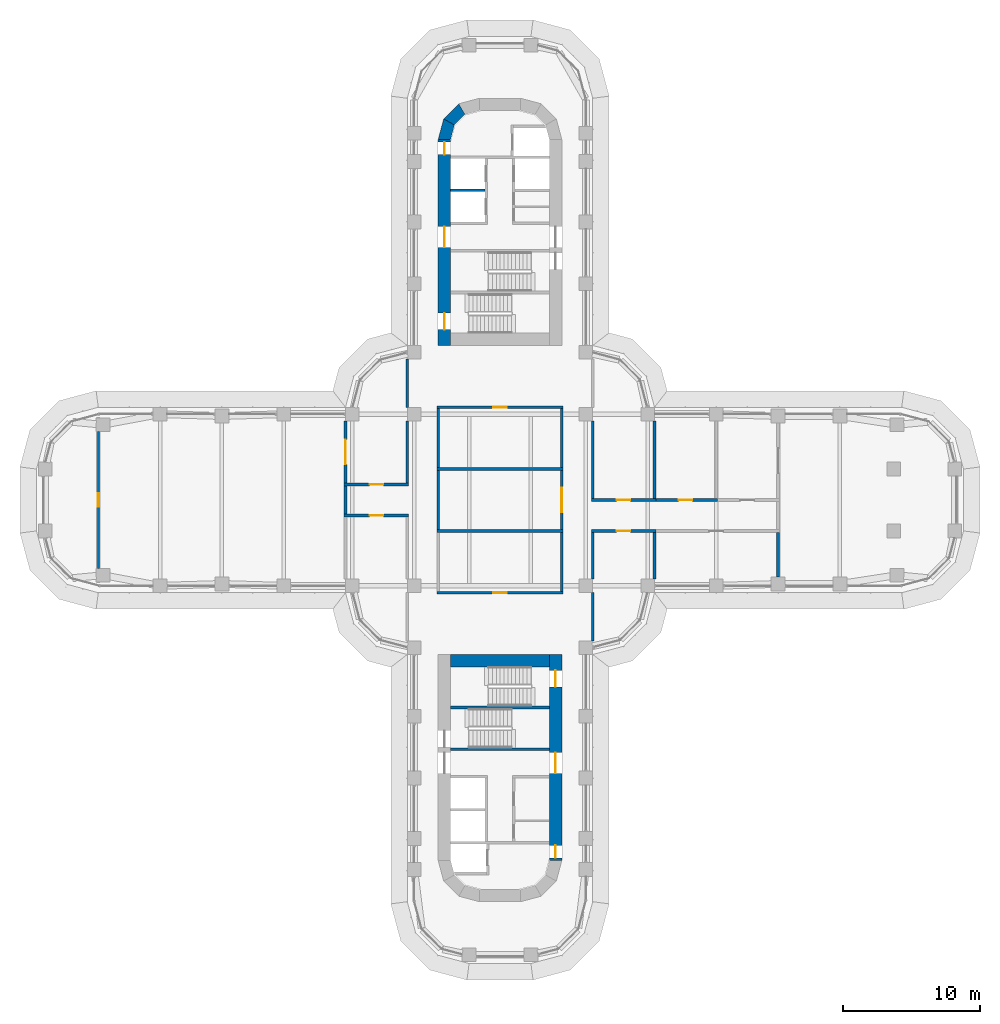
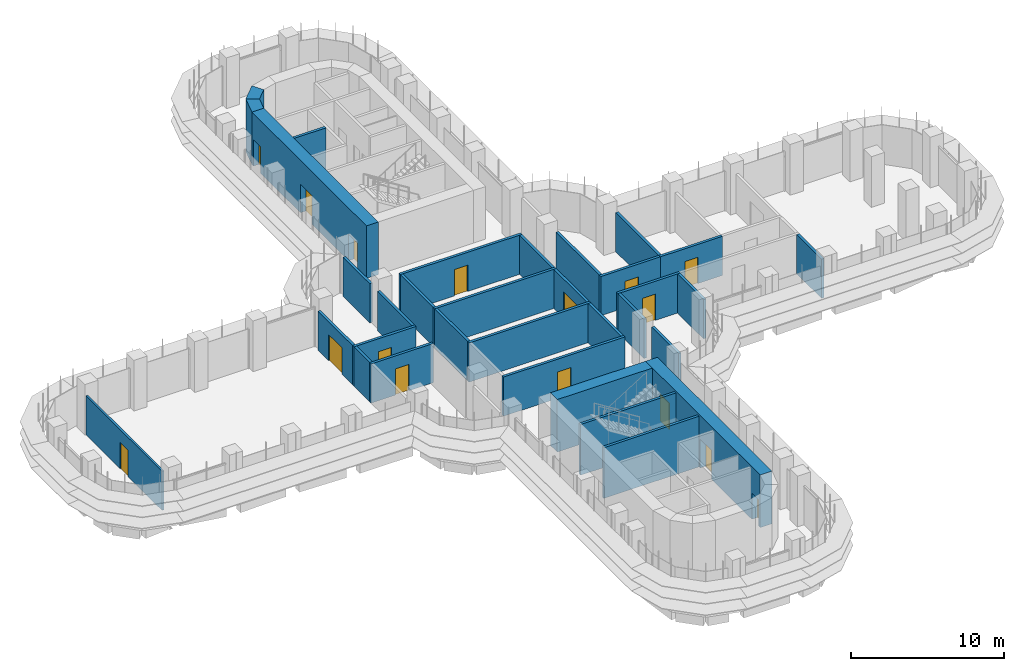
# One storey, part 17 of 23: 33 walls, 16 doors, 16 openings.
"""IFC4 building model written with IfcOpenShell, lengths in metres."""

from ifc_helpers import new_model, si_unit, direction, frame, frame_2d, origin, place, context, subcontext, project, spatial, polyline, rectangle, outline, extrude, material, layer, layer_set, type_object, element, fill, save


model = new_model("IFC4")

# Units and contexts
model_context = context("Model", 3, precision=1e-05, world=origin(), true_north=direction((0.0, 1.0)))
body_context = subcontext(model_context, "Body", "Model", "MODEL_VIEW")
ifc_project = project(units=[si_unit("LENGTHUNIT", "METRE"), si_unit("AREAUNIT", "SQUARE_METRE"), si_unit("VOLUMEUNIT", "CUBIC_METRE"), si_unit("PLANEANGLEUNIT", "RADIAN"), si_unit("MASSUNIT", "GRAM", prefix="KILO")], contexts=[model_context])

# Site, building, storey
site_placement = place(None, origin())
site = spatial("IfcSite", under=ifc_project, at=site_placement, CompositionType="ELEMENT")
building_placement = place(site_placement, origin())
building = spatial("IfcBuilding", under=site, at=building_placement, Name="Zarbagh Exchange Tower", CompositionType="ELEMENT")
storey_placement = place(building_placement, frame((0.0, 0.0, 69.0)))
storey = spatial("IfcBuildingStorey", under=building, at=storey_placement, Name="L15", CompositionType="ELEMENT", Elevation=69.0)

# Wall, opening, door
ifc_material_1 = material(Name="Plasterboard partition")
ifc_layer_1 = layer(ifc_material_1, 0.14990234375)
ifc_layer_set_1 = layer_set([ifc_layer_1], Name="PARTITION 150")
wall_type_1 = type_object("IfcWallType", Name="PARTITION 150", PredefinedType="PARTITIONING", material=ifc_layer_set_1)
wall_1_placement = place(storey_placement, frame((-29.25, -4.97509765625, 0.0), z_axis=(0.0, 0.0, 1.0), x_axis=(0.0, 1.0, 0.0)))
wall_1 = element("IfcWall", 1, at=wall_1_placement, inside=storey, type_object=wall_type_1, Name="Partition W-535", PredefinedType="PARTITIONING", context=body_context, shape_type="SweptSolid", body=[
    extrude(rectangle(XDim=9.9501953125, YDim=0.14990234375, at=frame_2d((4.97509765625, 0.0))), origin(), (0.0, 0.0, 1.0), 3.130615234375),
])
opening_1_placement = place(wall_1_placement, frame((4.47509765625, 0.0, 0.0)))
opening_1 = element("IfcOpeningElement", 2, at=opening_1_placement, cuts=wall_1, Name="Opening D-510", PredefinedType="OPENING", context=body_context, shape_type="SweptSolid", body=[
    extrude(rectangle(XDim=1.0, YDim=2.10009765625, at=frame_2d((0.5, 1.050048828125))), frame((0.0, 0.0849609375, 0.0), z_axis=(0.0, -1.0, 0.0), x_axis=(1.0, 0.0, 0.0)), (0.0, 0.0, 1.0), 0.169921875),
])
ifc_material_2 = material(Name="Timber door leaf", Category="wood")
door_type_1 = type_object("IfcDoorType", Name="DOOR 1000 X 2100", OperationType="NOTDEFINED", PredefinedType="DOOR", material=ifc_material_2)
door_1_placement = place(opening_1_placement, origin())
door_1 = element("IfcDoor", 3, at=door_1_placement, inside=storey, type_object=door_type_1, Name="Door D-510", OperationType="SINGLE_SWING_RIGHT", OverallHeight=2.10009765625, OverallWidth=1.0, PredefinedType="DOOR", context=body_context, shape_type="SweptSolid", body=[
    extrude(rectangle(XDim=1.0, YDim=2.10009765625, at=frame_2d((0.5, 1.050048828125))), frame((0.0, 0.02490234375, 0.0), z_axis=(0.0, -1.0, 0.0), x_axis=(1.0, 0.0, 0.0)), (0.0, 0.0, 1.0), 0.050048828125),
])
fill(opening_1, door_1)

# Walls
ifc_material_3 = material(Name="Fire-rated plasterboard partition")
ifc_layer_2 = layer(ifc_material_3, 0.199951171875)
ifc_layer_set_2 = layer_set([ifc_layer_2], Name="RATED PARTITION 200")
wall_type_2 = type_object("IfcWallType", Name="RATED PARTITION 200", PredefinedType="PARTITIONING", material=ifc_layer_set_2)
for number, where, z_axis, x_axis, name in (
    (4, (-4.5, 2.35009765625, 0.0), (0.0, 0.0, 1.0), (0.0, 1.0, 0.0), "Partition W-501"),
    (5, (-4.5, -2.14990234375, 0.0), (0.0, 0.0, 1.0), (0.0, 1.0, 0.0), "Partition W-502"),
):
    element("IfcWall", number, at=place(storey_placement, frame(where, z_axis=z_axis, x_axis=x_axis)), inside=storey, type_object=wall_type_2, Name=name, PredefinedType="PARTITIONING", context=body_context, shape_type="SweptSolid", body=[
        extrude(rectangle(XDim=4.2998046875, YDim=0.199951171875, at=frame_2d((2.14990234375, 0.0))), origin(), (0.0, 0.0, 1.0), 3.130615234375),
    ])
wall_2_placement = place(storey_placement, frame((-6.75, 1.22509765625, 0.0), z_axis=(0.0, 0.0, 1.0), x_axis=(0.0, 1.0, 0.0)))
element("IfcWall", 6, at=wall_2_placement, inside=storey, type_object=wall_type_2, Name="Partition W-504", PredefinedType="PARTITIONING", context=body_context, shape_type="SweptSolid", body=[
    extrude(rectangle(XDim=4.52490234375, YDim=0.199951171875, at=frame_2d((2.262451171875, 0.0))), origin(), (0.0, 0.0, 1.0), 3.130615234375),
])
wall_3_placement = place(storey_placement, frame((-6.75, 6.75, 0.0), z_axis=(0.0, 0.0, 1.0), x_axis=(0.0, 1.0, 0.0)))
element("IfcWall", 7, at=wall_3_placement, inside=storey, type_object=wall_type_2, Name="Partition W-505", PredefinedType="PARTITIONING", context=body_context, shape_type="SweptSolid", body=[
    extrude(rectangle(XDim=3.5, YDim=0.199951171875, at=frame_2d((1.75, 0.0))), origin(), (0.0, 0.0, 1.0), 3.130615234375),
])
wall_4_placement = place(storey_placement, frame((4.5, 2.35009765625, 0.0), z_axis=(0.0, 0.0, 1.0), x_axis=(0.0, 1.0, 0.0)))
element("IfcWall", 8, at=wall_4_placement, inside=storey, type_object=wall_type_2, Name="Partition W-508", PredefinedType="PARTITIONING", context=body_context, shape_type="SweptSolid", body=[
    extrude(rectangle(XDim=4.2998046875, YDim=0.199951171875, at=frame_2d((2.14990234375, 0.0))), origin(), (0.0, 0.0, 1.0), 3.130615234375),
])

# Wall, opening, door
wall_5_placement = place(storey_placement, frame((4.5, -2.14990234375, 0.0), z_axis=(0.0, 0.0, 1.0), x_axis=(0.0, 1.0, 0.0)))
wall_5 = element("IfcWall", 9, at=wall_5_placement, inside=storey, type_object=wall_type_2, Name="Partition W-509", PredefinedType="PARTITIONING", context=body_context, shape_type="SweptSolid", body=[
    extrude(rectangle(XDim=4.2998046875, YDim=0.199951171875, at=frame_2d((2.14990234375, 0.0))), origin(), (0.0, 0.0, 1.0), 3.130615234375),
])
opening_2_placement = place(wall_5_placement, frame((1.25, 0.0, 0.0)))
opening_2 = element("IfcOpeningElement", 10, at=opening_2_placement, cuts=wall_5, Name="Opening D-501", PredefinedType="OPENING", context=body_context, shape_type="SweptSolid", body=[
    extrude(rectangle(XDim=1.800048828125, YDim=2.10009765625, at=frame_2d((0.89990234375, 1.050048828125))), frame((0.0, 0.10986328125, 0.0), z_axis=(0.0, -1.0, 0.0), x_axis=(1.0, 0.0, 0.0)), (0.0, 0.0, 1.0), 0.219970703125),
])
ifc_material_4 = material(Name="Steel door set", Category="steel")
door_type_2 = type_object("IfcDoorType", Name="FIRE DOUBLE DOOR 1800 X 2100 FD30S", OperationType="DOUBLE_DOOR_SINGLE_SWING", PredefinedType="DOOR", material=ifc_material_4)
door_2_placement = place(opening_2_placement, origin())
door_2 = element("IfcDoor", 11, at=door_2_placement, inside=storey, type_object=door_type_2, Name="Door D-501", OperationType="DOUBLE_DOOR_SINGLE_SWING", OverallHeight=2.10009765625, OverallWidth=1.800048828125, PredefinedType="DOOR", context=body_context, shape_type="SweptSolid", body=[
    extrude(rectangle(XDim=1.800048828125, YDim=2.10009765625, at=frame_2d((0.89990234375, 1.050048828125))), frame((0.0, 0.02490234375, 0.0), z_axis=(0.0, -1.0, 0.0), x_axis=(1.0, 0.0, 0.0)), (0.0, 0.0, 1.0), 0.050048828125),
])
fill(opening_2, door_2)

# Walls
wall_6_placement = place(storey_placement, frame((4.5, -6.64990234375, 0.0), z_axis=(0.0, 0.0, 1.0), x_axis=(0.0, 1.0, 0.0)))
element("IfcWall", 12, at=wall_6_placement, inside=storey, type_object=wall_type_2, Name="Partition W-510", PredefinedType="PARTITIONING", context=body_context, shape_type="SweptSolid", body=[
    extrude(rectangle(XDim=4.2998046875, YDim=0.199951171875, at=frame_2d((2.14990234375, 0.0))), origin(), (0.0, 0.0, 1.0), 3.130615234375),
])
wall_7_placement = place(storey_placement, frame((6.75, 0.10009765625, 0.0), z_axis=(0.0, 0.0, 1.0), x_axis=(0.0, 1.0, 0.0)))
element("IfcWall", 13, at=wall_7_placement, inside=storey, type_object=wall_type_2, Name="Partition W-511", PredefinedType="PARTITIONING", context=body_context, shape_type="SweptSolid", body=[
    extrude(rectangle(XDim=5.64990234375, YDim=0.199951171875, at=frame_2d((2.824951171875, 0.0))), origin(), (0.0, 0.0, 1.0), 3.130615234375),
])
wall_8_placement = place(storey_placement, frame((6.75, -10.25, 0.0), z_axis=(0.0, 0.0, 1.0), x_axis=(0.0, 1.0, 0.0)))
element("IfcWall", 14, at=wall_8_placement, inside=storey, type_object=wall_type_2, Name="Partition W-513", PredefinedType="PARTITIONING", context=body_context, shape_type="SweptSolid", body=[
    extrude(rectangle(XDim=3.5, YDim=0.199951171875, at=frame_2d((1.75, 0.0))), origin(), (0.0, 0.0, 1.0), 3.130615234375),
])
wall_9_placement = place(storey_placement, frame((6.75, -5.75, 0.0), z_axis=(0.0, 0.0, 1.0), x_axis=(0.0, 1.0, 0.0)))
element("IfcWall", 15, at=wall_9_placement, inside=storey, type_object=wall_type_2, Name="Partition W-514", PredefinedType="PARTITIONING", context=body_context, shape_type="SweptSolid", body=[
    extrude(rectangle(XDim=3.39990234375, YDim=0.199951171875, at=frame_2d((1.699951171875, 0.0))), origin(), (0.0, 0.0, 1.0), 3.130615234375),
])

# Wall, opening, door
wall_10_placement = place(storey_placement, frame((4.60009765625, 6.75, 0.0), z_axis=(0.0, 0.0, 1.0), x_axis=(-1.0, 0.0, 0.0)))
wall_10 = element("IfcWall", 16, at=wall_10_placement, inside=storey, type_object=wall_type_2, Name="Partition W-515", PredefinedType="PARTITIONING", context=body_context, shape_type="SweptSolid", body=[
    extrude(rectangle(XDim=9.2001953125, YDim=0.199951171875, at=frame_2d((4.60009765625, 0.0))), origin(), (0.0, 0.0, 1.0), 3.130615234375),
])
opening_3_placement = place(wall_10_placement, frame((4.10009765625, 0.0, 0.0)))
opening_3 = element("IfcOpeningElement", 17, at=opening_3_placement, cuts=wall_10, Name="Opening D-502", PredefinedType="OPENING", context=body_context, shape_type="SweptSolid", body=[
    extrude(rectangle(XDim=1.0, YDim=2.10009765625, at=frame_2d((0.5, 1.050048828125))), frame((0.0, 0.10986328125, 0.0), z_axis=(0.0, -1.0, 0.0), x_axis=(1.0, 0.0, 0.0)), (0.0, 0.0, 1.0), 0.219970703125),
])
door_type_3 = type_object("IfcDoorType", Name="FIRE DOOR 1000 X 2100 FD30S", OperationType="NOTDEFINED", PredefinedType="DOOR", material=ifc_material_4)
door_3_placement = place(opening_3_placement, origin())
door_3 = element("IfcDoor", 18, at=door_3_placement, inside=storey, type_object=door_type_3, Name="Door D-502", OperationType="SINGLE_SWING_RIGHT", OverallHeight=2.10009765625, OverallWidth=1.0, PredefinedType="DOOR", context=body_context, shape_type="SweptSolid", body=[
    extrude(rectangle(XDim=1.0, YDim=2.10009765625, at=frame_2d((0.5, 1.050048828125))), frame((0.0, 0.02490234375, 0.0), z_axis=(0.0, -1.0, 0.0), x_axis=(1.0, 0.0, 0.0)), (0.0, 0.0, 1.0), 0.050048828125),
])
fill(opening_3, door_3)

wall_11_placement = place(storey_placement, frame((-4.60009765625, -6.75, 0.0), z_axis=(0.0, 0.0, 1.0), x_axis=(1.0, 0.0, 0.0)))
wall_11 = element("IfcWall", 19, at=wall_11_placement, inside=storey, type_object=wall_type_2, Name="Partition W-516", PredefinedType="PARTITIONING", context=body_context, shape_type="SweptSolid", body=[
    extrude(rectangle(XDim=9.2001953125, YDim=0.199951171875, at=frame_2d((4.60009765625, 0.0))), origin(), (0.0, 0.0, 1.0), 3.130615234375),
])
opening_4_placement = place(wall_11_placement, frame((4.10009765625, 0.0, 0.0)))
opening_4 = element("IfcOpeningElement", 20, at=opening_4_placement, cuts=wall_11, Name="Opening D-503", PredefinedType="OPENING", context=body_context, shape_type="SweptSolid", body=[
    extrude(rectangle(XDim=1.0, YDim=2.10009765625, at=frame_2d((0.5, 1.050048828125))), frame((0.0, 0.10986328125, 0.0), z_axis=(0.0, -1.0, 0.0), x_axis=(1.0, 0.0, 0.0)), (0.0, 0.0, 1.0), 0.219970703125),
])
door_4_placement = place(opening_4_placement, origin())
door_4 = element("IfcDoor", 21, at=door_4_placement, inside=storey, type_object=door_type_3, Name="Door D-503", OperationType="SINGLE_SWING_RIGHT", OverallHeight=2.10009765625, OverallWidth=1.0, PredefinedType="DOOR", context=body_context, shape_type="SweptSolid", body=[
    extrude(rectangle(XDim=1.0, YDim=2.10009765625, at=frame_2d((0.5, 1.050048828125))), frame((0.0, 0.02490234375, 0.0), z_axis=(0.0, -1.0, 0.0), x_axis=(1.0, 0.0, 0.0)), (0.0, 0.0, 1.0), 0.050048828125),
])
fill(opening_4, door_4)

# Walls
for number, where, z_axis, x_axis, name in (
    (22, (-4.60009765625, 2.25, 0.0), (0.0, 0.0, 1.0), (1.0, 0.0, 0.0), "Partition W-517"),
    (23, (-4.60009765625, -2.25, 0.0), (0.0, 0.0, 1.0), (1.0, 0.0, 0.0), "Partition W-518"),
):
    element("IfcWall", number, at=place(storey_placement, frame(where, z_axis=z_axis, x_axis=x_axis)), inside=storey, type_object=wall_type_2, Name=name, PredefinedType="PARTITIONING", context=body_context, shape_type="SweptSolid", body=[
        extrude(rectangle(XDim=9.2001953125, YDim=0.199951171875, at=frame_2d((4.60009765625, 0.0))), origin(), (0.0, 0.0, 1.0), 3.130615234375),
    ])

# Wall, opening, door
wall_12_placement = place(storey_placement, frame((6.64990234375, 0.0, 0.0), z_axis=(0.0, 0.0, 1.0), x_axis=(1.0, 0.0, 0.0)))
wall_12 = element("IfcWall", 24, at=wall_12_placement, inside=storey, type_object=wall_type_2, Name="Partition W-519", PredefinedType="PARTITIONING", context=body_context, shape_type="SweptSolid", body=[
    extrude(rectangle(XDim=4.7001953125, YDim=0.199951171875, at=frame_2d((2.35009765625, 0.0))), origin(), (0.0, 0.0, 1.0), 3.130615234375),
])
opening_5_placement = place(wall_12_placement, frame((1.85009765625, 0.0, 0.0)))
opening_5 = element("IfcOpeningElement", 25, at=opening_5_placement, cuts=wall_12, Name="Opening D-505", PredefinedType="OPENING", context=body_context, shape_type="SweptSolid", body=[
    extrude(rectangle(XDim=1.0, YDim=2.10009765625, at=frame_2d((0.5, 1.050048828125))), frame((0.0, 0.10986328125, 0.0), z_axis=(0.0, -1.0, 0.0), x_axis=(1.0, 0.0, 0.0)), (0.0, 0.0, 1.0), 0.219970703125),
])
door_5_placement = place(opening_5_placement, origin())
door_5 = element("IfcDoor", 26, at=door_5_placement, inside=storey, type_object=door_type_3, Name="Door D-505", OperationType="SINGLE_SWING_RIGHT", OverallHeight=2.10009765625, OverallWidth=1.0, PredefinedType="DOOR", context=body_context, shape_type="SweptSolid", body=[
    extrude(rectangle(XDim=1.0, YDim=2.10009765625, at=frame_2d((0.5, 1.050048828125))), frame((0.0, 0.02490234375, 0.0), z_axis=(0.0, -1.0, 0.0), x_axis=(1.0, 0.0, 0.0)), (0.0, 0.0, 1.0), 0.050048828125),
])
fill(opening_5, door_5)

wall_13_placement = place(storey_placement, frame((11.35009765625, -2.25, 0.0), z_axis=(0.0, 0.0, 1.0), x_axis=(-1.0, 0.0, 0.0)))
wall_13 = element("IfcWall", 27, at=wall_13_placement, inside=storey, type_object=wall_type_2, Name="Partition W-520", PredefinedType="PARTITIONING", context=body_context, shape_type="SweptSolid", body=[
    extrude(rectangle(XDim=4.7001953125, YDim=0.199951171875, at=frame_2d((2.35009765625, 0.0))), origin(), (0.0, 0.0, 1.0), 3.130615234375),
])
opening_6_placement = place(wall_13_placement, frame((1.85009765625, 0.0, 0.0)))
opening_6 = element("IfcOpeningElement", 28, at=opening_6_placement, cuts=wall_13, Name="Opening D-508", PredefinedType="OPENING", context=body_context, shape_type="SweptSolid", body=[
    extrude(rectangle(XDim=1.0, YDim=2.10009765625, at=frame_2d((0.5, 1.050048828125))), frame((0.0, 0.10986328125, 0.0), z_axis=(0.0, -1.0, 0.0), x_axis=(1.0, 0.0, 0.0)), (0.0, 0.0, 1.0), 0.219970703125),
])
door_6_placement = place(opening_6_placement, origin())
door_6 = element("IfcDoor", 29, at=door_6_placement, inside=storey, type_object=door_type_3, Name="Door D-508", OperationType="SINGLE_SWING_RIGHT", OverallHeight=2.10009765625, OverallWidth=1.0, PredefinedType="DOOR", context=body_context, shape_type="SweptSolid", body=[
    extrude(rectangle(XDim=1.0, YDim=2.10009765625, at=frame_2d((0.5, 1.050048828125))), frame((0.0, 0.02490234375, 0.0), z_axis=(0.0, -1.0, 0.0), x_axis=(1.0, 0.0, 0.0)), (0.0, 0.0, 1.0), 0.050048828125),
])
fill(opening_6, door_6)

wall_14_placement = place(storey_placement, frame((11.14990234375, 0.0, 0.0), z_axis=(0.0, 0.0, 1.0), x_axis=(1.0, 0.0, 0.0)))
wall_14 = element("IfcWall", 30, at=wall_14_placement, inside=storey, type_object=wall_type_2, Name="Partition W-521", PredefinedType="PARTITIONING", context=body_context, shape_type="SweptSolid", body=[
    extrude(rectangle(XDim=4.7001953125, YDim=0.199951171875, at=frame_2d((2.35009765625, 0.0))), origin(), (0.0, 0.0, 1.0), 3.130615234375),
])
opening_7_placement = place(wall_14_placement, frame((1.85009765625, 0.0, 0.0)))
opening_7 = element("IfcOpeningElement", 31, at=opening_7_placement, cuts=wall_14, Name="Opening D-506", PredefinedType="OPENING", context=body_context, shape_type="SweptSolid", body=[
    extrude(rectangle(XDim=1.0, YDim=2.10009765625, at=frame_2d((0.5, 1.050048828125))), frame((0.0, 0.10986328125, 0.0), z_axis=(0.0, -1.0, 0.0), x_axis=(1.0, 0.0, 0.0)), (0.0, 0.0, 1.0), 0.219970703125),
])
door_7_placement = place(opening_7_placement, origin())
door_7 = element("IfcDoor", 32, at=door_7_placement, inside=storey, type_object=door_type_3, Name="Door D-506", OperationType="SINGLE_SWING_RIGHT", OverallHeight=2.10009765625, OverallWidth=1.0, PredefinedType="DOOR", context=body_context, shape_type="SweptSolid", body=[
    extrude(rectangle(XDim=1.0, YDim=2.10009765625, at=frame_2d((0.5, 1.050048828125))), frame((0.0, 0.02490234375, 0.0), z_axis=(0.0, -1.0, 0.0), x_axis=(1.0, 0.0, 0.0)), (0.0, 0.0, 1.0), 0.050048828125),
])
fill(opening_7, door_7)

# Walls
wall_15_placement = place(storey_placement, frame((11.25, 0.10009765625, 0.0), z_axis=(0.0, 0.0, 1.0), x_axis=(0.0, 1.0, 0.0)))
element("IfcWall", 33, at=wall_15_placement, inside=storey, type_object=wall_type_2, Name="Partition W-525", PredefinedType="PARTITIONING", context=body_context, shape_type="SweptSolid", body=[
    extrude(rectangle(XDim=5.64990234375, YDim=0.199951171875, at=frame_2d((2.824951171875, 0.0))), origin(), (0.0, 0.0, 1.0), 3.130615234375),
])
wall_16_placement = place(storey_placement, frame((11.25, -5.75, 0.0), z_axis=(0.0, 0.0, 1.0), x_axis=(0.0, 1.0, 0.0)))
element("IfcWall", 34, at=wall_16_placement, inside=storey, type_object=wall_type_2, Name="Partition W-526", PredefinedType="PARTITIONING", context=body_context, shape_type="SweptSolid", body=[
    extrude(rectangle(XDim=3.39990234375, YDim=0.199951171875, at=frame_2d((1.699951171875, 0.0))), origin(), (0.0, 0.0, 1.0), 3.130615234375),
])
wall_17_placement = place(storey_placement, frame((20.25, -5.610107421875, 0.0), z_axis=(0.0, 0.0, 1.0), x_axis=(0.0, 1.0, 0.0)))
element("IfcWall", 35, at=wall_17_placement, inside=storey, type_object=wall_type_2, Name="Partition W-529", PredefinedType="PARTITIONING", context=body_context, shape_type="SweptSolid", body=[
    extrude(rectangle(XDim=3.260009765625, YDim=0.199951171875, at=frame_2d((1.6298828125, 0.0))), origin(), (0.0, 0.0, 1.0), 3.130615234375),
])

# Wall, opening, door
wall_18_placement = place(storey_placement, frame((-11.35009765625, 1.125, 0.0), z_axis=(0.0, 0.0, 1.0), x_axis=(1.0, 0.0, 0.0)))
wall_18 = element("IfcWall", 36, at=wall_18_placement, inside=storey, type_object=wall_type_2, Name="Partition W-530", PredefinedType="PARTITIONING", context=body_context, shape_type="SweptSolid", body=[
    extrude(rectangle(XDim=4.7001953125, YDim=0.199951171875, at=frame_2d((2.35009765625, 0.0))), origin(), (0.0, 0.0, 1.0), 3.130615234375),
])
opening_8_placement = place(wall_18_placement, frame((1.85009765625, 0.0, 0.0)))
opening_8 = element("IfcOpeningElement", 37, at=opening_8_placement, cuts=wall_18, Name="Opening D-512", PredefinedType="OPENING", context=body_context, shape_type="SweptSolid", body=[
    extrude(rectangle(XDim=1.0, YDim=2.10009765625, at=frame_2d((0.5, 1.050048828125))), frame((0.0, 0.10986328125, 0.0), z_axis=(0.0, -1.0, 0.0), x_axis=(1.0, 0.0, 0.0)), (0.0, 0.0, 1.0), 0.219970703125),
])
door_8_placement = place(opening_8_placement, origin())
door_8 = element("IfcDoor", 38, at=door_8_placement, inside=storey, type_object=door_type_3, Name="Door D-512", OperationType="SINGLE_SWING_RIGHT", OverallHeight=2.10009765625, OverallWidth=1.0, PredefinedType="DOOR", context=body_context, shape_type="SweptSolid", body=[
    extrude(rectangle(XDim=1.0, YDim=2.10009765625, at=frame_2d((0.5, 1.050048828125))), frame((0.0, 0.02490234375, 0.0), z_axis=(0.0, -1.0, 0.0), x_axis=(1.0, 0.0, 0.0)), (0.0, 0.0, 1.0), 0.050048828125),
])
fill(opening_8, door_8)

wall_19_placement = place(storey_placement, frame((-6.64990234375, -1.125, 0.0), z_axis=(0.0, 0.0, 1.0), x_axis=(-1.0, 0.0, 0.0)))
wall_19 = element("IfcWall", 39, at=wall_19_placement, inside=storey, type_object=wall_type_2, Name="Partition W-531", PredefinedType="PARTITIONING", context=body_context, shape_type="SweptSolid", body=[
    extrude(rectangle(XDim=4.7001953125, YDim=0.199951171875, at=frame_2d((2.35009765625, 0.0))), origin(), (0.0, 0.0, 1.0), 3.130615234375),
])
opening_9_placement = place(wall_19_placement, frame((1.85009765625, 0.0, 0.0)))
opening_9 = element("IfcOpeningElement", 40, at=opening_9_placement, cuts=wall_19, Name="Opening D-513", PredefinedType="OPENING", context=body_context, shape_type="SweptSolid", body=[
    extrude(rectangle(XDim=1.0, YDim=2.10009765625, at=frame_2d((0.5, 1.050048828125))), frame((0.0, 0.10986328125, 0.0), z_axis=(0.0, -1.0, 0.0), x_axis=(1.0, 0.0, 0.0)), (0.0, 0.0, 1.0), 0.219970703125),
])
door_9_placement = place(opening_9_placement, origin())
door_9 = element("IfcDoor", 41, at=door_9_placement, inside=storey, type_object=door_type_3, Name="Door D-513", OperationType="SINGLE_SWING_RIGHT", OverallHeight=2.10009765625, OverallWidth=1.0, PredefinedType="DOOR", context=body_context, shape_type="SweptSolid", body=[
    extrude(rectangle(XDim=1.0, YDim=2.10009765625, at=frame_2d((0.5, 1.050048828125))), frame((0.0, 0.02490234375, 0.0), z_axis=(0.0, -1.0, 0.0), x_axis=(1.0, 0.0, 0.0)), (0.0, 0.0, 1.0), 0.050048828125),
])
fill(opening_9, door_9)

# Wall
wall_20_placement = place(storey_placement, frame((-11.25, -1.02490234375, 0.0), z_axis=(0.0, 0.0, 1.0), x_axis=(0.0, 1.0, 0.0)))
element("IfcWall", 42, at=wall_20_placement, inside=storey, type_object=wall_type_2, Name="Partition W-532", PredefinedType="PARTITIONING", context=body_context, shape_type="SweptSolid", body=[
    extrude(rectangle(XDim=2.0498046875, YDim=0.199951171875, at=frame_2d((1.02490234375, 0.0))), origin(), (0.0, 0.0, 1.0), 3.130615234375),
])

# Wall, opening, door
wall_21_placement = place(storey_placement, frame((-11.25, 1.22509765625, 0.0), z_axis=(0.0, 0.0, 1.0), x_axis=(0.0, 1.0, 0.0)))
wall_21 = element("IfcWall", 43, at=wall_21_placement, inside=storey, type_object=wall_type_2, Name="Partition W-533", PredefinedType="PARTITIONING", context=body_context, shape_type="SweptSolid", body=[
    extrude(rectangle(XDim=4.52490234375, YDim=0.199951171875, at=frame_2d((2.262451171875, 0.0))), origin(), (0.0, 0.0, 1.0), 3.130615234375),
])
opening_10_placement = place(wall_21_placement, frame((1.362548828125, 0.0, 0.0)))
opening_10 = element("IfcOpeningElement", 44, at=opening_10_placement, cuts=wall_21, Name="Opening D-511", PredefinedType="OPENING", context=body_context, shape_type="SweptSolid", body=[
    extrude(rectangle(XDim=1.800048828125, YDim=2.10009765625, at=frame_2d((0.89990234375, 1.050048828125))), frame((0.0, 0.10986328125, 0.0), z_axis=(0.0, -1.0, 0.0), x_axis=(1.0, 0.0, 0.0)), (0.0, 0.0, 1.0), 0.219970703125),
])
door_10_placement = place(opening_10_placement, origin())
door_10 = element("IfcDoor", 45, at=door_10_placement, inside=storey, type_object=door_type_2, Name="Door D-511", OperationType="DOUBLE_DOOR_SINGLE_SWING", OverallHeight=2.10009765625, OverallWidth=1.800048828125, PredefinedType="DOOR", context=body_context, shape_type="SweptSolid", body=[
    extrude(rectangle(XDim=1.800048828125, YDim=2.10009765625, at=frame_2d((0.89990234375, 1.050048828125))), frame((0.0, 0.02490234375, 0.0), z_axis=(0.0, -1.0, 0.0), x_axis=(1.0, 0.0, 0.0)), (0.0, 0.0, 1.0), 0.050048828125),
])
fill(opening_10, door_10)

# Walls
ifc_material_5 = material(Name="Concrete C60/75", Category="concrete")
ifc_layer_3 = layer(ifc_material_5, 0.89990234375)
ifc_layer_set_3 = layer_set([ifc_layer_3], Name="RC core corner wall 900 C60/75")
wall_type_3 = type_object("IfcWallType", Name="RC core corner wall 900 C60/75", PredefinedType="SHEAR", material=ifc_layer_set_3)
wall_22_placement = place(storey_placement, origin())
element("IfcWall", 46, at=wall_22_placement, inside=storey, type_object=wall_type_3, Name="CW2 core N corner W", PredefinedType="SHEAR", context=body_context, shape_type="SweptSolid", body=[
    extrude(outline(polyline([(-4.5, 26.25), (-4.09814453125, 27.75), (-3.318603515625, 27.300048828125), (-3.60009765625, 26.25), (-4.5, 26.25)])), origin(), (0.0, 0.0, 1.0), 4.199951171875),
])
wall_23_placement = place(storey_placement, origin())
element("IfcWall", 47, at=wall_23_placement, inside=storey, type_object=wall_type_3, Name="CW2 core N corner W", PredefinedType="SHEAR", context=body_context, shape_type="SweptSolid", body=[
    extrude(outline(polyline([(-4.09814453125, 27.75), (-3.0, 28.84814453125), (-2.550048828125, 28.068603515625), (-3.318603515625, 27.300048828125), (-4.09814453125, 27.75)])), origin(), (0.0, 0.0, 1.0), 4.199951171875),
])

# Wall, openings, doors
ifc_layer_4 = layer(ifc_material_5, 0.89990234375)
ifc_layer_set_4 = layer_set([ifc_layer_4], Name="RC core wall 900 C60/75")
wall_type_4 = type_object("IfcWallType", Name="RC core wall 900 C60/75", PredefinedType="SHEAR", material=ifc_layer_set_4)
wall_24_placement = place(storey_placement, frame((-4.050048828125, 11.25, 0.0), z_axis=(0.0, 0.0, 1.0), x_axis=(0.0, 1.0, 0.0)))
wall_24 = element("IfcWall", 48, at=wall_24_placement, inside=storey, type_object=wall_type_4, Name="CW1 core N W", PredefinedType="SHEAR", context=body_context, shape_type="SweptSolid", body=[
    extrude(rectangle(XDim=15.0, YDim=0.89990234375, at=frame_2d((7.5, 0.0))), origin(), (0.0, 0.0, 1.0), 4.199951171875),
])
opening_11_placement = place(wall_24_placement, frame((7.14990234375, 0.0, 0.0)))
opening_11 = element("IfcOpeningElement", 49, at=opening_11_placement, cuts=wall_24, Name="Opening CD1-1500", PredefinedType="OPENING", context=body_context, shape_type="SweptSolid", body=[
    extrude(rectangle(XDim=1.5, YDim=2.300048828125, at=frame_2d((0.75, 1.14990234375))), frame((0.0, 0.4599609375, 0.0), z_axis=(0.0, -1.0, 0.0), x_axis=(1.0, 0.0, 0.0)), (0.0, 0.0, 1.0), 0.919921875),
])
opening_12_placement = place(wall_24_placement, frame((13.89990234375, 0.0, 0.0)))
opening_12 = element("IfcOpeningElement", 50, at=opening_12_placement, cuts=wall_24, Name="Opening CD2-900", PredefinedType="OPENING", context=body_context, shape_type="SweptSolid", body=[
    extrude(rectangle(XDim=0.89990234375, YDim=2.10009765625, at=frame_2d((0.449951171875, 1.050048828125))), frame((0.0, 0.4599609375, 0.0), z_axis=(0.0, -1.0, 0.0), x_axis=(1.0, 0.0, 0.0)), (0.0, 0.0, 1.0), 0.919921875),
])
opening_13_placement = place(wall_24_placement, frame((1.14990234375, 0.0, 0.0)))
opening_13 = element("IfcOpeningElement", 51, at=opening_13_placement, cuts=wall_24, Name="Opening SD1-1200", PredefinedType="OPENING", context=body_context, shape_type="SweptSolid", body=[
    extrude(rectangle(XDim=1.199951171875, YDim=2.10009765625, at=frame_2d((0.60009765625, 1.050048828125))), frame((0.0, 0.4599609375, 0.0), z_axis=(0.0, -1.0, 0.0), x_axis=(1.0, 0.0, 0.0)), (0.0, 0.0, 1.0), 0.919921875),
])
ifc_material_6 = material(Name="Steel", Category="steel")
door_type_4 = type_object("IfcDoorType", Name="Exit stair door 1200 x 2100", OperationType="NOTDEFINED", PredefinedType="DOOR", material=ifc_material_6)
door_11_placement = place(opening_13_placement, origin())
door_11 = element("IfcDoor", 52, at=door_11_placement, inside=storey, type_object=door_type_4, Name="North core stair door ST2", OperationType="SINGLE_SWING_LEFT", OverallHeight=2.10009765625, OverallWidth=1.199951171875, PredefinedType="DOOR", context=body_context, shape_type="SweptSolid", body=[
    extrude(rectangle(XDim=1.199951171875, YDim=2.10009765625, at=frame_2d((0.60009765625, 1.050048828125))), frame((0.0, 0.02490234375, 0.0), z_axis=(0.0, -1.0, 0.0), x_axis=(1.0, 0.0, 0.0)), (0.0, 0.0, 1.0), 0.050048828125),
])
fill(opening_13, door_11)
door_type_5 = type_object("IfcDoorType", Name="Firefighting lobby door 900 x 2100", OperationType="NOTDEFINED", PredefinedType="DOOR", material=ifc_material_6)
door_12_placement = place(opening_12_placement, origin())
door_12 = element("IfcDoor", 53, at=door_12_placement, inside=storey, type_object=door_type_5, Name="North core firefighting lobby door FF-W", OperationType="SINGLE_SWING_RIGHT", OverallHeight=2.10009765625, OverallWidth=0.89990234375, PredefinedType="DOOR", context=body_context, shape_type="SweptSolid", body=[
    extrude(rectangle(XDim=0.89990234375, YDim=2.10009765625, at=frame_2d((0.449951171875, 1.050048828125))), frame((0.0, 0.02490234375, 0.0), z_axis=(0.0, -1.0, 0.0), x_axis=(1.0, 0.0, 0.0)), (0.0, 0.0, 1.0), 0.050048828125),
])
fill(opening_12, door_12)
door_type_6 = type_object("IfcDoorType", Name="Lift lobby double door 1500 x 2300", OperationType="NOTDEFINED", PredefinedType="DOOR", material=ifc_material_6)
door_13_placement = place(opening_11_placement, origin())
door_13 = element("IfcDoor", 54, at=door_13_placement, inside=storey, type_object=door_type_6, Name="North core lift lobby door LOBBY-W", OperationType="DOUBLE_DOOR_SINGLE_SWING", OverallHeight=2.300048828125, OverallWidth=1.5, PredefinedType="DOOR", context=body_context, shape_type="SweptSolid", body=[
    extrude(rectangle(XDim=1.5, YDim=2.300048828125, at=frame_2d((0.75, 1.14990234375))), frame((0.0, 0.02490234375, 0.0), z_axis=(0.0, -1.0, 0.0), x_axis=(1.0, 0.0, 0.0)), (0.0, 0.0, 1.0), 0.050048828125),
])
fill(opening_11, door_13)

wall_25_placement = place(storey_placement, frame((4.050048828125, -11.25, 0.0), z_axis=(0.0, 0.0, 1.0), x_axis=(0.0, -1.0, 0.0)))
wall_25 = element("IfcWall", 55, at=wall_25_placement, inside=storey, type_object=wall_type_4, Name="CW1 core S E", PredefinedType="SHEAR", context=body_context, shape_type="SweptSolid", body=[
    extrude(rectangle(XDim=15.0, YDim=0.89990234375, at=frame_2d((7.5, 0.0))), origin(), (0.0, 0.0, 1.0), 4.199951171875),
])
opening_14_placement = place(wall_25_placement, frame((7.14990234375, 0.0, 0.0)))
opening_14 = element("IfcOpeningElement", 56, at=opening_14_placement, cuts=wall_25, Name="Opening CD1-1500", PredefinedType="OPENING", context=body_context, shape_type="SweptSolid", body=[
    extrude(rectangle(XDim=1.5, YDim=2.300048828125, at=frame_2d((0.75, 1.14990234375))), frame((0.0, 0.4599609375, 0.0), z_axis=(0.0, -1.0, 0.0), x_axis=(1.0, 0.0, 0.0)), (0.0, 0.0, 1.0), 0.919921875),
])
opening_15_placement = place(wall_25_placement, frame((13.89990234375, 0.0, 0.0)))
opening_15 = element("IfcOpeningElement", 57, at=opening_15_placement, cuts=wall_25, Name="Opening CD2-900", PredefinedType="OPENING", context=body_context, shape_type="SweptSolid", body=[
    extrude(rectangle(XDim=0.89990234375, YDim=2.10009765625, at=frame_2d((0.449951171875, 1.050048828125))), frame((0.0, 0.4599609375, 0.0), z_axis=(0.0, -1.0, 0.0), x_axis=(1.0, 0.0, 0.0)), (0.0, 0.0, 1.0), 0.919921875),
])
opening_16_placement = place(wall_25_placement, frame((1.14990234375, 0.0, 0.0)))
opening_16 = element("IfcOpeningElement", 58, at=opening_16_placement, cuts=wall_25, Name="Opening SD1-1200", PredefinedType="OPENING", context=body_context, shape_type="SweptSolid", body=[
    extrude(rectangle(XDim=1.199951171875, YDim=2.10009765625, at=frame_2d((0.60009765625, 1.050048828125))), frame((0.0, 0.4599609375, 0.0), z_axis=(0.0, -1.0, 0.0), x_axis=(1.0, 0.0, 0.0)), (0.0, 0.0, 1.0), 0.919921875),
])
door_14_placement = place(opening_16_placement, origin())
door_14 = element("IfcDoor", 59, at=door_14_placement, inside=storey, type_object=door_type_4, Name="South core stair door ST2", OperationType="SINGLE_SWING_LEFT", OverallHeight=2.10009765625, OverallWidth=1.199951171875, PredefinedType="DOOR", context=body_context, shape_type="SweptSolid", body=[
    extrude(rectangle(XDim=1.199951171875, YDim=2.10009765625, at=frame_2d((0.60009765625, 1.050048828125))), frame((0.0, 0.02490234375, 0.0), z_axis=(0.0, -1.0, 0.0), x_axis=(1.0, 0.0, 0.0)), (0.0, 0.0, 1.0), 0.050048828125),
])
fill(opening_16, door_14)
door_15_placement = place(opening_15_placement, origin())
door_15 = element("IfcDoor", 60, at=door_15_placement, inside=storey, type_object=door_type_5, Name="South core firefighting lobby door FF-W", OperationType="SINGLE_SWING_LEFT", OverallHeight=2.10009765625, OverallWidth=0.89990234375, PredefinedType="DOOR", context=body_context, shape_type="SweptSolid", body=[
    extrude(rectangle(XDim=0.89990234375, YDim=2.10009765625, at=frame_2d((0.449951171875, 1.050048828125))), frame((0.0, 0.02490234375, 0.0), z_axis=(0.0, -1.0, 0.0), x_axis=(1.0, 0.0, 0.0)), (0.0, 0.0, 1.0), 0.050048828125),
])
fill(opening_15, door_15)
door_16_placement = place(opening_14_placement, origin())
door_16 = element("IfcDoor", 61, at=door_16_placement, inside=storey, type_object=door_type_6, Name="South core lift lobby door LOBBY-W", OperationType="DOUBLE_DOOR_SINGLE_SWING", OverallHeight=2.300048828125, OverallWidth=1.5, PredefinedType="DOOR", context=body_context, shape_type="SweptSolid", body=[
    extrude(rectangle(XDim=1.5, YDim=2.300048828125, at=frame_2d((0.75, 1.14990234375))), frame((0.0, 0.02490234375, 0.0), z_axis=(0.0, -1.0, 0.0), x_axis=(1.0, 0.0, 0.0)), (0.0, 0.0, 1.0), 0.050048828125),
])
fill(opening_14, door_16)

# Walls
wall_26_placement = place(storey_placement, frame((-3.60009765625, -11.699951171875, 0.0), z_axis=(0.0, 0.0, 1.0), x_axis=(1.0, 0.0, 0.0)))
element("IfcWall", 62, at=wall_26_placement, inside=storey, type_object=wall_type_4, Name="CW1 core S inner end", PredefinedType="SHEAR", context=body_context, shape_type="SweptSolid", body=[
    extrude(rectangle(XDim=7.2001953125, YDim=0.89990234375, at=frame_2d((3.60009765625, 0.0))), origin(), (0.0, 0.0, 1.0), 4.199951171875),
])
ifc_material_7 = material(Name="Dense blockwork", Category="masonry")
ifc_layer_5 = layer(ifc_material_7, 0.199951171875)
ifc_layer_set_5 = layer_set([ifc_layer_5], Name="Shaft wall 200 mm blockwork")
wall_type_5 = type_object("IfcWallType", Name="Shaft wall 200 mm blockwork", PredefinedType="PARTITIONING", material=ifc_layer_set_5)
wall_27_placement = place(storey_placement, frame((-3.60009765625, 22.550048828125, 0.0), z_axis=(0.0, 0.0, 1.0), x_axis=(1.0, 0.0, 0.0)))
element("IfcWall", 63, at=wall_27_placement, inside=storey, type_object=wall_type_5, Name="North core shaft wall TR-W", PredefinedType="PARTITIONING", context=body_context, shape_type="SweptSolid", body=[
    extrude(rectangle(XDim=2.5, YDim=0.199951171875, at=frame_2d((1.25, 0.0))), origin(), (0.0, 0.0, 1.0), 4.050048828125),
])
ifc_material_8 = material(Name="Concrete C40/50", Category="concrete")
ifc_layer_6 = layer(ifc_material_8, 0.199951171875)
ifc_layer_set_6 = layer_set([ifc_layer_6], Name="Stair enclosure wall 200 mm RC C40/50")
wall_type_6 = type_object("IfcWallType", Name="Stair enclosure wall 200 mm RC C40/50", PredefinedType="SHEAR", material=ifc_layer_set_6)
for number, where, z_axis, x_axis, name in (
    (64, (3.60009765625, -18.14990234375, 0.0), (0.0, 0.0, 1.0), (-1.0, 0.0, 0.0), "South core stair wall BS"),
    (65, (3.60009765625, -15.10009765625, 0.0), (0.0, 0.0, 1.0), (-1.0, 0.0, 0.0), "South core stair wall ST12"),
):
    element("IfcWall", number, at=place(storey_placement, frame(where, z_axis=z_axis, x_axis=x_axis)), inside=storey, type_object=wall_type_6, Name=name, PredefinedType="SHEAR", context=body_context, shape_type="SweptSolid", body=[
        extrude(rectangle(XDim=7.2001953125, YDim=0.199951171875, at=frame_2d((3.60009765625, 0.0))), origin(), (0.0, 0.0, 1.0), 4.050048828125),
    ])

save(model, "model.ifc")
